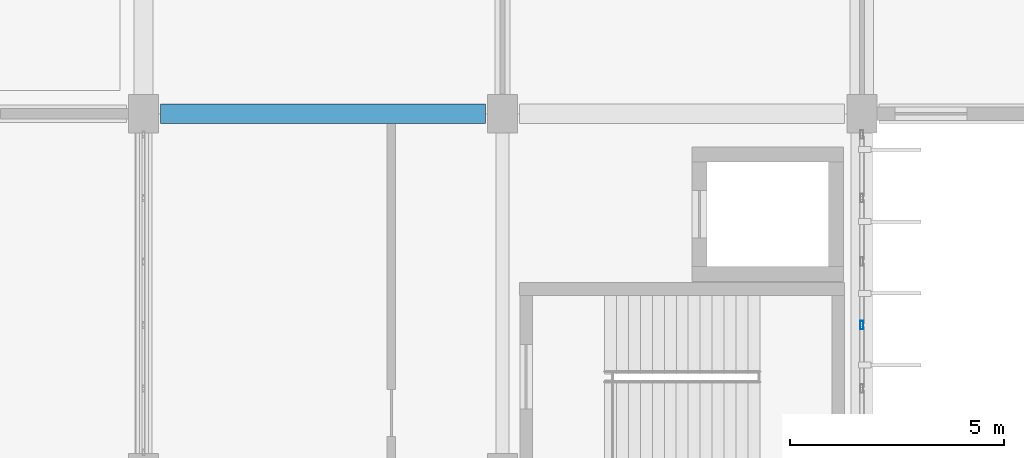
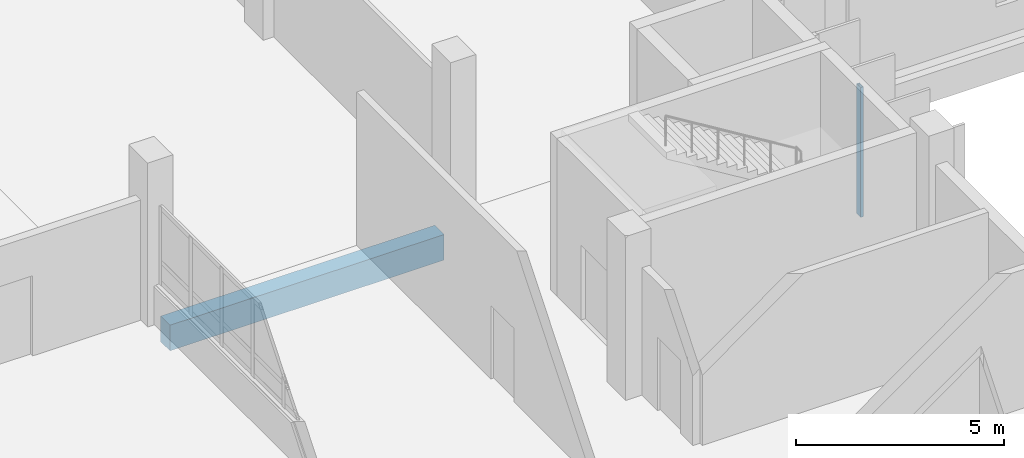
# One storey, part 53 of 95: 1 beam, 1 member, 1 element without a shape of its own.
"""IFC4 building model written with IfcOpenShell, lengths in metres."""

from ifc_helpers import new_model, si_unit, direction, frame, origin, origin_2d, place, context, subcontext, project, spatial, rectangle, hollow_rectangle, extrude, material, layer, layer_set, material_profile, profile_set, type_object, element, aggregate, save


model = new_model("IFC4")

# Units and contexts
model_context = context("Model", 3, precision=1e-05, world=origin(), true_north=direction((0.0, 1.0)))
body_context = subcontext(model_context, "Body", "Model", "MODEL_VIEW")
ifc_project = project(units=[si_unit("LENGTHUNIT", "METRE"), si_unit("AREAUNIT", "SQUARE_METRE"), si_unit("VOLUMEUNIT", "CUBIC_METRE"), si_unit("PLANEANGLEUNIT", "RADIAN"), si_unit("MASSUNIT", "GRAM", prefix="KILO")], contexts=[model_context])

# Site, building, storey
site_placement = place(None, origin())
site = spatial("IfcSite", under=ifc_project, at=site_placement, CompositionType="ELEMENT")
building_placement = place(site_placement, origin())
building = spatial("IfcBuilding", under=site, at=building_placement, Name="Vireocrest Preparatory School", CompositionType="ELEMENT")
storey_placement = place(building_placement, origin())
storey = spatial("IfcBuildingStorey", under=building, at=storey_placement, Name="L00", CompositionType="ELEMENT", Elevation=0.0)

# Curtain wall, member
ifc_material_1 = material(Name="Thermally broken aluminium EN AW-6063-T6", Category="aluminium")
ifc_layer = layer(ifc_material_1, 0.179931640625)
ifc_layer_set = layer_set([ifc_layer], Name="Thermally broken aluminium EN AW-6063-T6")
curtain_wall_type = type_object("IfcCurtainWallType", Name="Ground Storefront Curtain Wall 8400x4800", PredefinedType="USERDEFINED", material=ifc_layer_set)
curtain_wall_placement = place(storey_placement, origin())
curtain_wall = element("IfcCurtainWall", 1, at=curtain_wall_placement, inside=storey, type_object=curtain_wall_type, Name="Curtain Wall CW04 CW_L00_CW04_1092_0778_000", ObjectType="CURTAIN WALL", PredefinedType="USERDEFINED")
ifc_material_profile_1 = material_profile(ifc_material_1, hollow_rectangle(XDim=0.074951171875, YDim=0.199951171875, WallThickness=0.0048828125, at=origin_2d()), Name="ALU 75x200x5")
ifc_profile_set_1 = profile_set([ifc_material_profile_1], Name="Thermally broken aluminium EN AW-6063-T6")
member_type = type_object("IfcMemberType", Name="CW Mullion 75x200x5", PredefinedType="MULLION", material=ifc_profile_set_1)
member_placement = place(storey_placement, frame((109.199951171875, 80.85693359375, 0.0), z_axis=(0.0, 0.0, 1.0), x_axis=(1.0, 0.0, 0.0)))
member = element("IfcMember", 2, at=member_placement, type_object=member_type, Name="CW Mullion ML3 CW_L00_CW04_1092_0778_000-3", PredefinedType="MULLION", context=body_context, shape_type="SweptSolid", body=[
    extrude(hollow_rectangle(XDim=0.074951171875, YDim=0.199951171875, WallThickness=0.0048828125, at=origin_2d()), origin(), (0.0, 0.0, 1.0), 3.804931640625),
])
aggregate(curtain_wall, [member])

# Beam
ifc_material_2 = material(Name="Concrete 40 MPa", Category="concrete")
ifc_material_profile_2 = material_profile(ifc_material_2, rectangle(XDim=0.449951171875, YDim=0.75, at=origin_2d()), Name="RC 450x750")
ifc_profile_set_2 = profile_set([ifc_material_profile_2], Name="Concrete 40 MPa")
beam_type = type_object("IfcBeamType", Name="RC Library Stack Girder 450x750", PredefinedType="BEAM", material=ifc_profile_set_2)
beam_placement = place(storey_placement, frame((92.800048828125, 85.800048828125, -0.72509765625), z_axis=(1.0, 0.0, 0.0), x_axis=(0.0, 1.0, 0.0)))
element("IfcBeam", 3, at=beam_placement, inside=storey, type_object=beam_type, Name="Primary Girder B11 L00-0099", PredefinedType="BEAM", context=body_context, shape_type="SweptSolid", body=[
    extrude(rectangle(XDim=0.449951171875, YDim=0.75, at=origin_2d()), origin(), (0.0, 0.0, 1.0), 7.599853515625),
])

save(model, "model.ifc")
